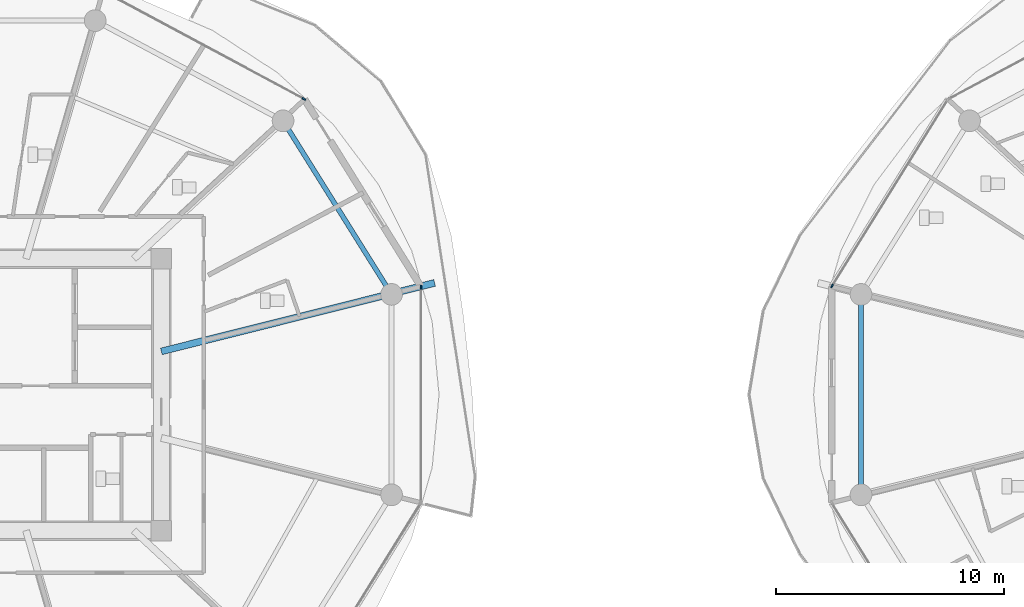
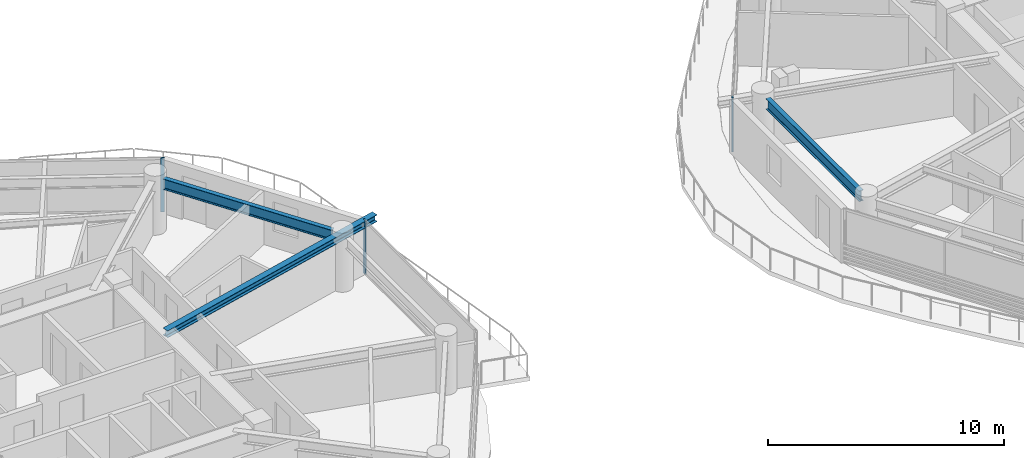
# One storey, part 7 of 26: 3 beams, 3 members, 3 elements without a shape of their own.
"""IFC4 building model written with IfcOpenShell, lengths in metres."""

from ifc_helpers import new_model, si_unit, direction, frame, origin, origin_2d, place, context, subcontext, project, spatial, rectangle, i_section, extrude, source, transform, mapped, material, layer, layer_set, material_profile, profile_set, type_object, type_shapes, element, aggregate, save


model = new_model("IFC4")

# Units and contexts
model_context = context("Model", 3, precision=1e-05, world=origin(), true_north=direction((0.0, 1.0)))
body_context = subcontext(model_context, "Body", "Model", "MODEL_VIEW")
ifc_project = project(units=[si_unit("LENGTHUNIT", "METRE"), si_unit("AREAUNIT", "SQUARE_METRE"), si_unit("VOLUMEUNIT", "CUBIC_METRE"), si_unit("PLANEANGLEUNIT", "RADIAN"), si_unit("MASSUNIT", "GRAM", prefix="KILO")], contexts=[model_context])

# Site, building, storey
site_placement = place(None, origin())
site = spatial("IfcSite", under=ifc_project, at=site_placement, CompositionType="ELEMENT")
building_placement = place(site_placement, origin())
building = spatial("IfcBuilding", under=site, at=building_placement, Name="Norrkilde Senior Care Towers", CompositionType="ELEMENT")
storey_placement = place(building_placement, frame((0.0, 0.0, 67.35009765625)))
storey = spatial("IfcBuildingStorey", under=building, at=storey_placement, Name="L20", CompositionType="ELEMENT", Elevation=67.35009765625)

# Beams
ifc_material_1 = material(Name="Steel S355", Category="steel")
ifc_material_profile_1 = material_profile(ifc_material_1, i_section(OverallWidth=0.2099609375, OverallDepth=0.550048828125, WebThickness=0.010986328125, FlangeThickness=0.01708984375, FilletRadius=0.02392578125, at=origin_2d()), Name="IPE 550")
ifc_profile_set_1 = profile_set([ifc_material_profile_1], Name="Steel S355")
beam_type_1 = type_object("IfcBeamType", Name="Perimeter Ring Spandrel Z1 IPE550", PredefinedType="SPANDREL", material=ifc_profile_set_1)
shared_shape_1 = source(origin(), body_context, "Body", "SweptSolid", [
    extrude(i_section(OverallWidth=0.2099609375, OverallDepth=0.550048828125, WebThickness=0.010986328125, FlangeThickness=0.01708984375, FilletRadius=0.02392578125, at=origin_2d()), origin(), (0.0, 0.0, 1.0), 8.090576171875),
])
beam_1_placement = place(storey_placement, frame((-10.505859375, 4.755859375, 2.514892578125), z_axis=(-0.530004364821, 0.84799491347, 0.0), x_axis=(-0.84799491347, -0.530004364821, 0.0)))
element("IfcBeam", 1, at=beam_1_placement, inside=storey, type_object=beam_type_1, Name="L20 Drum W Perimeter Spandrel 01", PredefinedType="SPANDREL", context=body_context, shape_type="MappedRepresentation", body=[
    mapped(shared_shape_1, transform((0.0, 0.0, 0.0), x_axis=(1.0, 0.0, 0.0), y_axis=(0.0, 1.0, 0.0), z_axis=(0.0, 0.0, 1.0), scale=1.0)),
])
shared_shape_2 = source(origin(), body_context, "Body", "SweptSolid", [
    extrude(i_section(OverallWidth=0.2099609375, OverallDepth=0.550048828125, WebThickness=0.010986328125, FlangeThickness=0.01708984375, FilletRadius=0.02392578125, at=origin_2d()), origin(), (0.0, 0.0, 1.0), 7.90380859375),
])
type_shapes(beam_type_1, [shared_shape_1, shared_shape_2])
beam_2_placement = place(storey_placement, frame((10.275146484375, 3.951904296875, 2.514892578125), z_axis=(0.0, -1.0, 0.0), x_axis=(1.0, 0.0, 0.0)))
element("IfcBeam", 2, at=beam_2_placement, inside=storey, type_object=beam_type_1, Name="L20 Drum E Perimeter Spandrel 06", PredefinedType="SPANDREL", context=body_context, shape_type="MappedRepresentation", body=[
    mapped(shared_shape_2, transform((0.0, 0.0, 0.0), x_axis=(1.0, 0.0, 0.0), y_axis=(0.0, 1.0, 0.0), z_axis=(0.0, 0.0, 1.0), scale=1.0)),
])
ifc_material_profile_2 = material_profile(ifc_material_1, i_section(OverallWidth=0.300048828125, OverallDepth=0.360107421875, WebThickness=0.012451171875, FlangeThickness=0.0224609375, FilletRadius=0.027099609375, at=origin_2d()), Name="HEB 360")
ifc_profile_set_2 = profile_set([ifc_material_profile_2], Name="Steel S355")
beam_type_2 = type_object("IfcBeamType", Name="Balcony Crest Cantilever Rib HEB360", PredefinedType="BEAM", material=ifc_profile_set_2)
shared_shape_3 = source(origin(), body_context, "Body", "SweptSolid", [
    extrude(i_section(OverallWidth=0.300048828125, OverallDepth=0.360107421875, WebThickness=0.012451171875, FlangeThickness=0.0224609375, FilletRadius=0.027099609375, at=origin_2d()), origin(), (0.0, 0.0, 1.0), 12.32861328125),
])
type_shapes(beam_type_2, [shared_shape_3])
beam_3_placement = place(storey_placement, frame((-20.35009765625, 1.893310546875, 2.60986328125), z_axis=(0.969976863562, 0.243197212474, 0.0), x_axis=(-0.243197212474, 0.969976863562, 0.0)))
element("IfcBeam", 3, at=beam_3_placement, inside=storey, type_object=beam_type_2, Name="L20 Drum W Balcony Cantilever Rib", PredefinedType="BEAM", context=body_context, shape_type="MappedRepresentation", body=[
    mapped(shared_shape_3, transform((0.0, 0.0, 0.0), x_axis=(1.0, 0.0, 0.0), y_axis=(0.0, 1.0, 0.0), z_axis=(0.0, 0.0, 1.0), scale=1.0)),
])

# Curtain wall, member
ifc_material_2 = material(Name="Triple Low-E Insulated Glazing", Category="glass")
ifc_layer = layer(ifc_material_2, 0.199951171875)
ifc_layer_set = layer_set([ifc_layer], Name="Triple Low-E Insulated Glazing")
curtain_wall_type = type_object("IfcCurtainWallType", Name="CW2 Zone 1 Memory Care Curtain Wall", PredefinedType="NOTDEFINED", material=ifc_layer_set)
curtain_wall_1_placement = place(storey_placement, origin())
curtain_wall_1 = element("IfcCurtainWall", 4, at=curtain_wall_1_placement, inside=storey, type_object=curtain_wall_type, Name="L20 Drum W Curtain Wall 01", PredefinedType="NOTDEFINED")
ifc_material_3 = material(Name="Anodised Aluminium", Category="aluminium")
ifc_material_profile_3 = material_profile(ifc_material_3, rectangle(XDim=0.06494140625, YDim=0.159912109375, at=origin_2d()), Name="ALU MULL 65x160")
ifc_profile_set_3 = profile_set([ifc_material_profile_3], Name="Anodised Aluminium")
member_type = type_object("IfcMemberType", Name="Curtain Wall Mullion Z1-Z2 65x160", PredefinedType="MULLION", material=ifc_profile_set_3)
shared_shape_4 = source(origin(), body_context, "Body", "SweptSolid", [
    extrude(rectangle(XDim=0.06494140625, YDim=0.159912109375, at=origin_2d()), origin(), (0.0, 0.0, 1.0), 2.789794921875),
])
type_shapes(member_type, [shared_shape_4])
member_1_placement = place(storey_placement, frame((-14.11279296875, 12.941162109375, 0.0), z_axis=(0.0, 0.0, 1.0), x_axis=(0.472607802456, 0.881272866403, 0.0)))
member_1 = element("IfcMember", 5, at=member_1_placement, type_object=member_type, Name="CW-2 mullion 2", PredefinedType="MULLION", context=body_context, shape_type="MappedRepresentation", body=[
    mapped(shared_shape_4, transform((0.0, 0.0, 0.0), x_axis=(1.0, 0.0, 0.0), y_axis=(0.0, 1.0, 0.0), z_axis=(0.0, 0.0, 1.0), scale=1.0)),
])
aggregate(curtain_wall_1, [member_1])

curtain_wall_2_placement = place(storey_placement, origin())
curtain_wall_2 = element("IfcCurtainWall", 6, at=curtain_wall_2_placement, inside=storey, type_object=curtain_wall_type, Name="L20 Drum W Curtain Wall 11", PredefinedType="NOTDEFINED")
member_2_placement = place(storey_placement, frame((-8.990478515625, 4.69873046875, 0.0), z_axis=(0.0, 0.0, 1.0), x_axis=(1.0, 0.0, 0.0)))
member_2 = element("IfcMember", 7, at=member_2_placement, type_object=member_type, Name="CW-2 mullion 1", PredefinedType="MULLION", context=body_context, shape_type="MappedRepresentation", body=[
    mapped(shared_shape_4, transform((0.0, 0.0, 0.0), x_axis=(1.0, 0.0, 0.0), y_axis=(0.0, 1.0, 0.0), z_axis=(0.0, 0.0, 1.0), scale=1.0)),
])
aggregate(curtain_wall_2, [member_2])

curtain_wall_3_placement = place(storey_placement, origin())
curtain_wall_3 = element("IfcCurtainWall", 8, at=curtain_wall_3_placement, inside=storey, type_object=curtain_wall_type, Name="L20 Drum E Curtain Wall 04", PredefinedType="NOTDEFINED")
member_3_placement = place(storey_placement, frame((9.0078125, 4.7587890625, 0.0), z_axis=(0.0, 0.0, 1.0), x_axis=(-0.849305943117, 0.527900951871, 0.0)))
member_3 = element("IfcMember", 9, at=member_3_placement, type_object=member_type, Name="CW-2 mullion 1", PredefinedType="MULLION", context=body_context, shape_type="MappedRepresentation", body=[
    mapped(shared_shape_4, transform((0.0, 0.0, 0.0), x_axis=(1.0, 0.0, 0.0), y_axis=(0.0, 1.0, 0.0), z_axis=(0.0, 0.0, 1.0), scale=1.0)),
])
aggregate(curtain_wall_3, [member_3])

save(model, "model.ifc")
